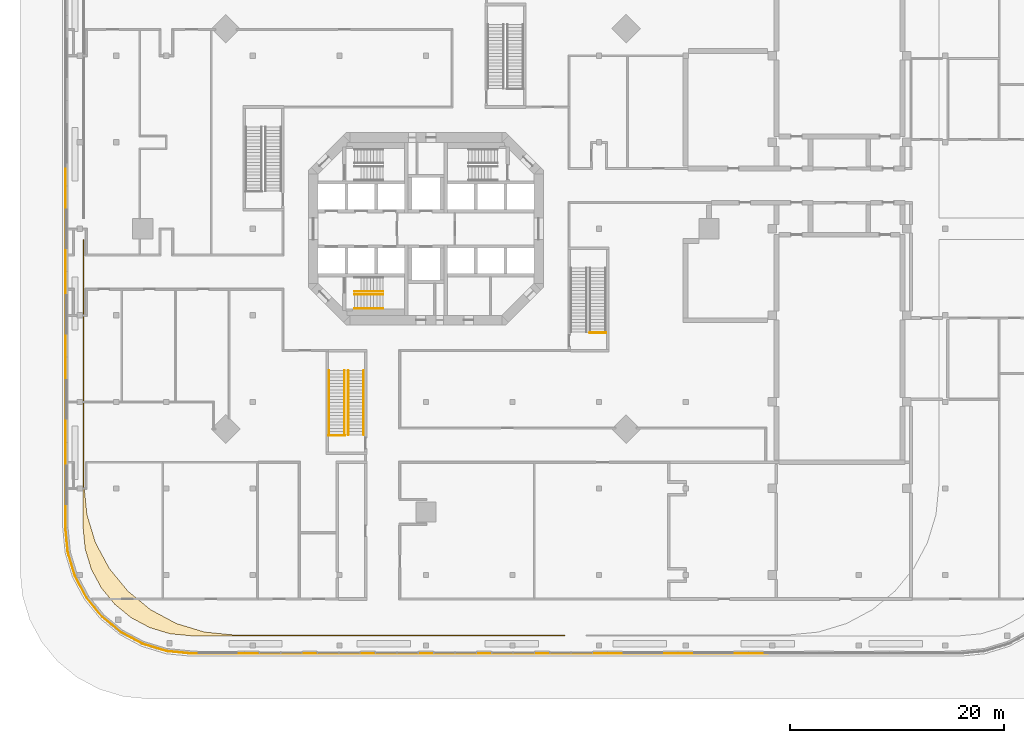
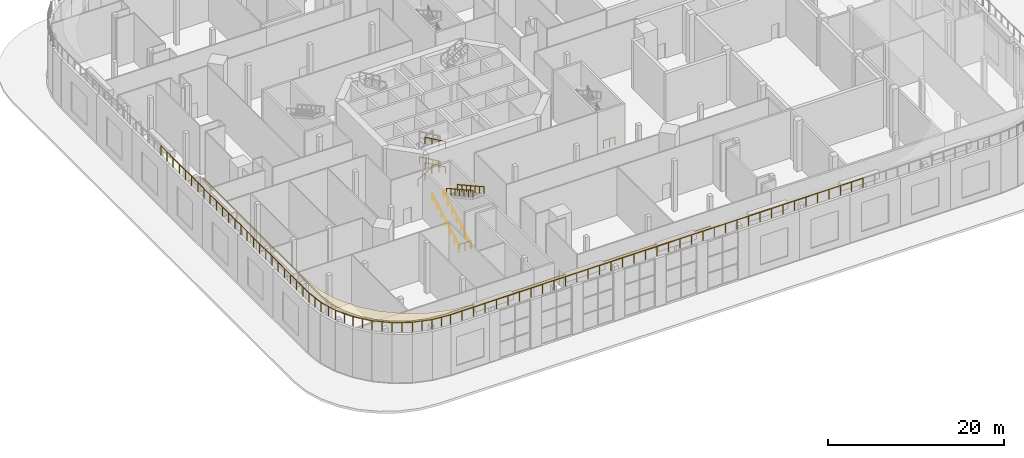
# One storey, part 18 of 21: 33 railings, 1 covering, 1 element without a shape of its own.
"""IFC4 building model written with IfcOpenShell, lengths in metres."""

from ifc_helpers import new_model, si_unit, direction, frame, origin, origin_2d, place, context, subcontext, project, spatial, polyline, rectangle, outline, extrude, material, layer, layer_set, type_object, element, aggregate, save


model = new_model("IFC4")

# Units and contexts
model_context = context("Model", 3, precision=1e-05, world=origin(), true_north=direction((0.0, 1.0)))
body_context = subcontext(model_context, "Body", "Model", "MODEL_VIEW")
ifc_project = project(units=[si_unit("LENGTHUNIT", "METRE"), si_unit("AREAUNIT", "SQUARE_METRE"), si_unit("VOLUMEUNIT", "CUBIC_METRE"), si_unit("PLANEANGLEUNIT", "RADIAN"), si_unit("MASSUNIT", "GRAM", prefix="KILO")], contexts=[model_context])

# Site, building, storey
site_placement = place(None, origin())
site = spatial("IfcSite", under=ifc_project, at=site_placement, CompositionType="ELEMENT")
building_placement = place(site_placement, origin())
building = spatial("IfcBuilding", under=site, at=building_placement, Name="Torre Triforio", CompositionType="ELEMENT")
storey_placement = place(building_placement, frame((0.0, 0.0, 6.0)))
storey = spatial("IfcBuildingStorey", under=building, at=storey_placement, Name="L01", CompositionType="ELEMENT", Elevation=6.0)

# Railings
ifc_material_1 = material(Name="Stainless steel AISI 316", Category="steel")
railing_type_1 = type_object("IfcRailingType", Name="HANDRAIL 920", PredefinedType="HANDRAIL", material=ifc_material_1)
railing_1_placement = place(storey_placement, frame((-6.699951171875, -5.85009765625, 0.175048828125)))
element("IfcRailing", 1, at=railing_1_placement, inside=storey, type_object=railing_type_1, Name="Handrail ST3", PredefinedType="HANDRAIL", context=body_context, shape_type="SweptSolid", body=[
    extrude(rectangle(XDim=0.048095703125, YDim=0.048095703125, at=origin_2d()), frame((0.0, 0.0, 0.89599609375), z_axis=(0.863781733769, 0.0, 0.503866169142), x_axis=(0.0, 1.0, 0.0)), (0.0, 0.0, 1.0), 3.125732421875),
    extrude(rectangle(XDim=0.0419921875, YDim=0.0419921875, at=origin_2d()), origin(), (0.0, 0.0, 1.0), 0.871826171875),
    extrude(rectangle(XDim=0.0419921875, YDim=0.0419921875, at=origin_2d()), frame((0.89990234375, 0.0, 0.52490234375)), (0.0, 0.0, 1.0), 0.871826171875),
    extrude(rectangle(XDim=0.0419921875, YDim=0.0419921875, at=origin_2d()), frame((1.800048828125, 0.0, 1.050048828125)), (0.0, 0.0, 1.0), 0.871826171875),
    extrude(rectangle(XDim=0.0419921875, YDim=0.0419921875, at=origin_2d()), frame((2.699951171875, 0.0, 1.574951171875)), (0.0, 0.0, 1.0), 0.871826171875),
])
for number, where, name in (
    (2, (-4.0, -7.449951171875, 1.925048828125), "Handrail ST3"),
    (3, (-4.0, -6.14990234375, 1.925048828125), "Handrail ST3"),
    (4, (-4.0, -7.449951171875, 5.425048828125), "Handrail ST3"),
):
    element("IfcRailing", number, at=place(storey_placement, frame(where)), inside=storey, type_object=railing_type_1, Name=name, PredefinedType="HANDRAIL", context=body_context, shape_type="SweptSolid", body=[
        extrude(rectangle(XDim=0.048095703125, YDim=0.048095703125, at=origin_2d()), frame((0.0, 0.0, 0.89599609375), z_axis=(-0.863781733769, 0.0, 0.503866169142), x_axis=(0.0, -1.0, 0.0)), (0.0, 0.0, 1.0), 3.125732421875),
        extrude(rectangle(XDim=0.0419921875, YDim=0.0419921875, at=origin_2d()), origin(), (0.0, 0.0, 1.0), 0.871826171875),
        extrude(rectangle(XDim=0.0419921875, YDim=0.0419921875, at=origin_2d()), frame((-0.89990234375, 0.0, 0.52490234375)), (0.0, 0.0, 1.0), 0.871826171875),
        extrude(rectangle(XDim=0.0419921875, YDim=0.0419921875, at=origin_2d()), frame((-1.800048828125, 0.0, 1.050048828125)), (0.0, 0.0, 1.0), 0.871826171875),
        extrude(rectangle(XDim=0.0419921875, YDim=0.0419921875, at=origin_2d()), frame((-2.699951171875, 0.0, 1.574951171875)), (0.0, 0.0, 1.0), 0.871826171875),
    ])

# Covering
ifc_material_2 = material(Name="Planted topsoil bed")
ifc_layer = layer(ifc_material_2, 0.300048828125)
ifc_layer_set = layer_set([ifc_layer], Name="Planted topsoil bed")
covering_type = type_object("IfcCoveringType", Name="Planted bed 300", PredefinedType="FLOORING", material=ifc_layer_set)
covering_placement = place(storey_placement, frame((0.0, 0.0, 7.0)))
element("IfcCovering", 5, at=covering_placement, inside=storey, type_object=covering_type, Name="Terrace T2 planted bed 1", PredefinedType="FLOORING", context=body_context, shape_type="SweptSolid", body=[
    extrude(outline(polyline([(-25.861572265625, -37.32275390625), (-27.606201171875, -36.39013671875), (-29.13525390625, -35.13525390625), (-30.39013671875, -33.606201171875), (-31.32275390625, -31.861572265625), (-31.89697265625, -29.968505859375), (-32.10009765625, -27.90673828125), (-32.10009765625, -1.0), (-32.0, -1.0), (-32.0, -24.098388671875), (-31.740478515625, -26.733154296875), (-30.943359375, -29.361328125), (-29.648681640625, -31.783447265625), (-27.90625, -33.90625), (-25.783447265625, -35.648681640625), (-23.361328125, -36.943359375), (-20.733154296875, -37.740478515625), (-18.098388671875, -38.0), (13.0, -38.0), (13.0, -38.10009765625), (-21.90673828125, -38.10009765625), (-23.968505859375, -37.89697265625), (-25.861572265625, -37.32275390625)])), origin(), (0.0, 0.0, 1.0), 0.300048828125),
])

# Stair, railings
ifc_material_3 = material(Name="Concrete C40", Category="concrete")
stair_type = type_object("IfcStairType", Name="Egress stair 1400 clear", PredefinedType="NOTDEFINED", material=ifc_material_3)
stair_placement = place(storey_placement, origin())
stair = element("IfcStair", 6, at=stair_placement, inside=storey, type_object=stair_type, Name="Exit stair PS3 L01 to L02", PredefinedType="NOTDEFINED")
railing_type_2 = type_object("IfcRailingType", Name="Stair handrail 920", PredefinedType="HANDRAIL", material=ifc_material_1)
railing_2_placement = place(storey_placement, frame((-9.074951171875, -19.27490234375, 0.166748046875)))
railing_2 = element("IfcRailing", 7, at=railing_2_placement, type_object=railing_type_2, Name="Handrail PS3", PredefinedType="HANDRAIL", context=body_context, shape_type="SweptSolid", body=[
    extrude(rectangle(XDim=0.048095703125, YDim=0.048095703125, at=origin_2d()), frame((0.0, 0.0, 0.89599609375), z_axis=(0.0, 0.874162309531, 0.485633870932), x_axis=(-1.0, 0.0, 0.0)), (0.0, 0.0, 1.0), 6.86376953125),
    extrude(rectangle(XDim=0.0419921875, YDim=0.0419921875, at=origin_2d()), origin(), (0.0, 0.0, 1.0), 0.871826171875),
    extrude(rectangle(XDim=0.0419921875, YDim=0.0419921875, at=origin_2d()), frame((0.0, 1.0, 0.5556640625)), (0.0, 0.0, 1.0), 0.871826171875),
    extrude(rectangle(XDim=0.0419921875, YDim=0.0419921875, at=origin_2d()), frame((0.0, 2.0, 1.111083984375)), (0.0, 0.0, 1.0), 0.871826171875),
    extrude(rectangle(XDim=0.0419921875, YDim=0.0419921875, at=origin_2d()), frame((0.0, 3.0, 1.66650390625)), (0.0, 0.0, 1.0), 0.871826171875),
    extrude(rectangle(XDim=0.0419921875, YDim=0.0419921875, at=origin_2d()), frame((0.0, 4.0, 2.22216796875)), (0.0, 0.0, 1.0), 0.871826171875),
    extrude(rectangle(XDim=0.0419921875, YDim=0.0419921875, at=origin_2d()), frame((0.0, 5.0, 2.77783203125)), (0.0, 0.0, 1.0), 0.871826171875),
    extrude(rectangle(XDim=0.0419921875, YDim=0.0419921875, at=origin_2d()), frame((0.0, 6.0, 3.333251953125)), (0.0, 0.0, 1.0), 0.871826171875),
])
railing_3_placement = place(storey_placement, frame((-7.625, -19.27490234375, 0.166748046875)))
railing_3 = element("IfcRailing", 8, at=railing_3_placement, type_object=railing_type_2, Name="Handrail PS3", PredefinedType="HANDRAIL", context=body_context, shape_type="SweptSolid", body=[
    extrude(rectangle(XDim=0.048095703125, YDim=0.048095703125, at=origin_2d()), frame((0.0, 0.0, 0.89599609375), z_axis=(0.0, 0.874162309531, 0.485633870932), x_axis=(-1.0, 0.0, 0.0)), (0.0, 0.0, 1.0), 6.86376953125),
    extrude(rectangle(XDim=0.0419921875, YDim=0.0419921875, at=origin_2d()), origin(), (0.0, 0.0, 1.0), 0.871826171875),
    extrude(rectangle(XDim=0.0419921875, YDim=0.0419921875, at=origin_2d()), frame((0.0, 1.0, 0.5556640625)), (0.0, 0.0, 1.0), 0.871826171875),
    extrude(rectangle(XDim=0.0419921875, YDim=0.0419921875, at=origin_2d()), frame((0.0, 2.0, 1.111083984375)), (0.0, 0.0, 1.0), 0.871826171875),
    extrude(rectangle(XDim=0.0419921875, YDim=0.0419921875, at=origin_2d()), frame((0.0, 3.0, 1.66650390625)), (0.0, 0.0, 1.0), 0.871826171875),
    extrude(rectangle(XDim=0.0419921875, YDim=0.0419921875, at=origin_2d()), frame((0.0, 4.0, 2.22216796875)), (0.0, 0.0, 1.0), 0.871826171875),
    extrude(rectangle(XDim=0.0419921875, YDim=0.0419921875, at=origin_2d()), frame((0.0, 5.0, 2.77783203125)), (0.0, 0.0, 1.0), 0.871826171875),
    extrude(rectangle(XDim=0.0419921875, YDim=0.0419921875, at=origin_2d()), frame((0.0, 6.0, 3.333251953125)), (0.0, 0.0, 1.0), 0.871826171875),
])
railing_4_placement = place(storey_placement, frame((-7.27490234375, -13.27490234375, 3.666748046875)))
railing_4 = element("IfcRailing", 9, at=railing_4_placement, type_object=railing_type_2, Name="Handrail PS3", PredefinedType="HANDRAIL", context=body_context, shape_type="SweptSolid", body=[
    extrude(rectangle(XDim=0.048095703125, YDim=0.048095703125, at=origin_2d()), frame((0.0, 0.0, 0.89599609375), z_axis=(0.0, -0.874162309531, 0.485633870932), x_axis=(1.0, 0.0, 0.0)), (0.0, 0.0, 1.0), 6.86376953125),
    extrude(rectangle(XDim=0.0419921875, YDim=0.0419921875, at=origin_2d()), origin(), (0.0, 0.0, 1.0), 0.871826171875),
    extrude(rectangle(XDim=0.0419921875, YDim=0.0419921875, at=origin_2d()), frame((0.0, -1.0, 0.5556640625)), (0.0, 0.0, 1.0), 0.871826171875),
    extrude(rectangle(XDim=0.0419921875, YDim=0.0419921875, at=origin_2d()), frame((0.0, -2.0, 1.111083984375)), (0.0, 0.0, 1.0), 0.871826171875),
    extrude(rectangle(XDim=0.0419921875, YDim=0.0419921875, at=origin_2d()), frame((0.0, -3.0, 1.66650390625)), (0.0, 0.0, 1.0), 0.871826171875),
    extrude(rectangle(XDim=0.0419921875, YDim=0.0419921875, at=origin_2d()), frame((0.0, -4.0, 2.22216796875)), (0.0, 0.0, 1.0), 0.871826171875),
    extrude(rectangle(XDim=0.0419921875, YDim=0.0419921875, at=origin_2d()), frame((0.0, -5.0, 2.77783203125)), (0.0, 0.0, 1.0), 0.871826171875),
    extrude(rectangle(XDim=0.0419921875, YDim=0.0419921875, at=origin_2d()), frame((0.0, -6.0, 3.333251953125)), (0.0, 0.0, 1.0), 0.871826171875),
])
railing_5_placement = place(storey_placement, frame((-5.824951171875, -13.27490234375, 3.666748046875)))
railing_5 = element("IfcRailing", 10, at=railing_5_placement, type_object=railing_type_2, Name="Handrail PS3", PredefinedType="HANDRAIL", context=body_context, shape_type="SweptSolid", body=[
    extrude(rectangle(XDim=0.048095703125, YDim=0.048095703125, at=origin_2d()), frame((0.0, 0.0, 0.89599609375), z_axis=(0.0, -0.874162309531, 0.485633870932), x_axis=(1.0, 0.0, 0.0)), (0.0, 0.0, 1.0), 6.86376953125),
    extrude(rectangle(XDim=0.0419921875, YDim=0.0419921875, at=origin_2d()), origin(), (0.0, 0.0, 1.0), 0.871826171875),
    extrude(rectangle(XDim=0.0419921875, YDim=0.0419921875, at=origin_2d()), frame((0.0, -1.0, 0.5556640625)), (0.0, 0.0, 1.0), 0.871826171875),
    extrude(rectangle(XDim=0.0419921875, YDim=0.0419921875, at=origin_2d()), frame((0.0, -2.0, 1.111083984375)), (0.0, 0.0, 1.0), 0.871826171875),
    extrude(rectangle(XDim=0.0419921875, YDim=0.0419921875, at=origin_2d()), frame((0.0, -3.0, 1.66650390625)), (0.0, 0.0, 1.0), 0.871826171875),
    extrude(rectangle(XDim=0.0419921875, YDim=0.0419921875, at=origin_2d()), frame((0.0, -4.0, 2.22216796875)), (0.0, 0.0, 1.0), 0.871826171875),
    extrude(rectangle(XDim=0.0419921875, YDim=0.0419921875, at=origin_2d()), frame((0.0, -5.0, 2.77783203125)), (0.0, 0.0, 1.0), 0.871826171875),
    extrude(rectangle(XDim=0.0419921875, YDim=0.0419921875, at=origin_2d()), frame((0.0, -6.0, 3.333251953125)), (0.0, 0.0, 1.0), 0.871826171875),
])
aggregate(stair, [railing_2, railing_3, railing_4, railing_5])

# Railings
railing_type_3 = type_object("IfcRailingType", Name="Stair well guard 1100", PredefinedType="GUARDRAIL", material=ifc_material_1)
for number, where, name in (
    (11, (15.324951171875, -9.72509765625, 0.0), "Guard PS2 L01"),
    (12, (-9.125, -19.324951171875, 0.0), "Guard PS3 L01"),
):
    element("IfcRailing", number, at=place(storey_placement, frame(where)), inside=storey, type_object=railing_type_3, Name=name, PredefinedType="GUARDRAIL", context=body_context, shape_type="SweptSolid", body=[
        extrude(rectangle(XDim=0.048095703125, YDim=0.048095703125, at=origin_2d()), frame((0.0, 0.0, 1.076171875), z_axis=(1.0, 0.0, 0.0), x_axis=(0.0, 1.0, 0.0)), (0.0, 0.0, 1.0), 1.550048828125),
        extrude(rectangle(XDim=0.0419921875, YDim=0.0419921875, at=origin_2d()), origin(), (0.0, 0.0, 1.0), 1.052001953125),
        extrude(rectangle(XDim=0.0419921875, YDim=0.0419921875, at=origin_2d()), frame((0.77490234375, 0.0, 0.0)), (0.0, 0.0, 1.0), 1.052001953125),
        extrude(rectangle(XDim=0.0419921875, YDim=0.0419921875, at=origin_2d()), frame((1.550048828125, 0.0, 0.0)), (0.0, 0.0, 1.0), 1.052001953125),
    ])
railing_type_4 = type_object("IfcRailingType", Name="Terrace balustrade 1300", PredefinedType="BALUSTRADE", material=ifc_material_1)
for number, where, name in (
    (13, (-33.75, 5.597412109375, 7.0), "Terrace T2 balustrade 27.5"),
    (14, (-33.75, 0.0, 7.0), "Terrace T2 balustrade 27.6"),
):
    element("IfcRailing", number, at=place(storey_placement, frame(where)), inside=storey, type_object=railing_type_4, Name=name, PredefinedType="BALUSTRADE", context=body_context, shape_type="SweptSolid", body=[
        extrude(rectangle(XDim=0.050048828125, YDim=0.050048828125, at=origin_2d()), frame((0.0, 0.0, 1.27490234375), z_axis=(0.0, -1.0, 0.0), x_axis=(1.0, 0.0, 0.0)), (0.0, 0.0, 1.0), 5.597412109375),
        extrude(rectangle(XDim=0.0400390625, YDim=0.0400390625, at=origin_2d()), origin(), (0.0, 0.0, 1.0), 1.25),
        extrude(rectangle(XDim=0.0400390625, YDim=0.0400390625, at=origin_2d()), frame((0.0, -1.3994140625, 0.0)), (0.0, 0.0, 1.0), 1.25),
        extrude(rectangle(XDim=0.0400390625, YDim=0.0400390625, at=origin_2d()), frame((0.0, -2.798828125, 0.0)), (0.0, 0.0, 1.0), 1.25),
        extrude(rectangle(XDim=0.0400390625, YDim=0.0400390625, at=origin_2d()), frame((0.0, -4.197998046875, 0.0)), (0.0, 0.0, 1.0), 1.25),
        extrude(rectangle(XDim=0.0400390625, YDim=0.0400390625, at=origin_2d()), frame((0.0, -5.597412109375, 0.0)), (0.0, 0.0, 1.0), 1.25),
    ])
railing_6_placement = place(storey_placement, frame((-33.75, -5.597412109375, 7.0)))
element("IfcRailing", 15, at=railing_6_placement, inside=storey, type_object=railing_type_4, Name="Terrace T2 balustrade 27.7", PredefinedType="BALUSTRADE", context=body_context, shape_type="SweptSolid", body=[
    extrude(rectangle(XDim=0.050048828125, YDim=0.050048828125, at=origin_2d()), frame((0.0, 0.0, 1.27490234375), z_axis=(0.0, -1.0, 0.0), x_axis=(1.0, 0.0, 0.0)), (0.0, 0.0, 1.0), 5.59765625),
    extrude(rectangle(XDim=0.0400390625, YDim=0.0400390625, at=origin_2d()), origin(), (0.0, 0.0, 1.0), 1.25),
    extrude(rectangle(XDim=0.0400390625, YDim=0.0400390625, at=origin_2d()), frame((0.0, -1.3994140625, 0.0)), (0.0, 0.0, 1.0), 1.25),
    extrude(rectangle(XDim=0.0400390625, YDim=0.0400390625, at=origin_2d()), frame((0.0, -2.798828125, 0.0)), (0.0, 0.0, 1.0), 1.25),
    extrude(rectangle(XDim=0.0400390625, YDim=0.0400390625, at=origin_2d()), frame((0.0, -4.1982421875, 0.0)), (0.0, 0.0, 1.0), 1.25),
    extrude(rectangle(XDim=0.0400390625, YDim=0.0400390625, at=origin_2d()), frame((0.0, -5.59765625, 0.0)), (0.0, 0.0, 1.0), 1.25),
])
railing_7_placement = place(storey_placement, frame((-33.75, -11.195068359375, 7.0)))
element("IfcRailing", 16, at=railing_7_placement, inside=storey, type_object=railing_type_4, Name="Terrace T2 balustrade 27.8", PredefinedType="BALUSTRADE", context=body_context, shape_type="SweptSolid", body=[
    extrude(rectangle(XDim=0.050048828125, YDim=0.050048828125, at=origin_2d()), frame((0.0, 0.0, 1.27490234375), z_axis=(0.0, -1.0, 0.0), x_axis=(1.0, 0.0, 0.0)), (0.0, 0.0, 1.0), 5.597412109375),
    extrude(rectangle(XDim=0.0400390625, YDim=0.0400390625, at=origin_2d()), origin(), (0.0, 0.0, 1.0), 1.25),
    extrude(rectangle(XDim=0.0400390625, YDim=0.0400390625, at=origin_2d()), frame((0.0, -1.3994140625, 0.0)), (0.0, 0.0, 1.0), 1.25),
    extrude(rectangle(XDim=0.0400390625, YDim=0.0400390625, at=origin_2d()), frame((0.0, -2.798828125, 0.0)), (0.0, 0.0, 1.0), 1.25),
    extrude(rectangle(XDim=0.0400390625, YDim=0.0400390625, at=origin_2d()), frame((0.0, -4.197998046875, 0.0)), (0.0, 0.0, 1.0), 1.25),
    extrude(rectangle(XDim=0.0400390625, YDim=0.0400390625, at=origin_2d()), frame((0.0, -5.597412109375, 0.0)), (0.0, 0.0, 1.0), 1.25),
])
for number, where, name in (
    (17, (-33.75, -16.79248046875, 7.0), "Terrace T2 balustrade 27.9"),
    (18, (-33.75, -22.39013671875, 7.0), "Terrace T2 balustrade 27.10"),
):
    element("IfcRailing", number, at=place(storey_placement, frame(where)), inside=storey, type_object=railing_type_4, Name=name, PredefinedType="BALUSTRADE", context=body_context, shape_type="SweptSolid", body=[
        extrude(rectangle(XDim=0.050048828125, YDim=0.050048828125, at=origin_2d()), frame((0.0, 0.0, 1.27490234375), z_axis=(0.0, -1.0, 0.0), x_axis=(1.0, 0.0, 0.0)), (0.0, 0.0, 1.0), 5.59765625),
        extrude(rectangle(XDim=0.0400390625, YDim=0.0400390625, at=origin_2d()), origin(), (0.0, 0.0, 1.0), 1.25),
        extrude(rectangle(XDim=0.0400390625, YDim=0.0400390625, at=origin_2d()), frame((0.0, -1.3994140625, 0.0)), (0.0, 0.0, 1.0), 1.25),
        extrude(rectangle(XDim=0.0400390625, YDim=0.0400390625, at=origin_2d()), frame((0.0, -2.798828125, 0.0)), (0.0, 0.0, 1.0), 1.25),
        extrude(rectangle(XDim=0.0400390625, YDim=0.0400390625, at=origin_2d()), frame((0.0, -4.1982421875, 0.0)), (0.0, 0.0, 1.0), 1.25),
        extrude(rectangle(XDim=0.0400390625, YDim=0.0400390625, at=origin_2d()), frame((0.0, -5.59765625, 0.0)), (0.0, 0.0, 1.0), 1.25),
    ])
railing_8_placement = place(storey_placement, frame((-33.75, -27.98779296875, 7.0)))
element("IfcRailing", 19, at=railing_8_placement, inside=storey, type_object=railing_type_4, Name="Terrace T2 balustrade 28", PredefinedType="BALUSTRADE", context=body_context, shape_type="SweptSolid", body=[
    extrude(rectangle(XDim=0.050048828125, YDim=0.050048828125, at=origin_2d()), frame((0.0, 0.0, 1.27490234375), z_axis=(0.098062895086, -0.99518021916, 0.0), x_axis=(0.99518021916, 0.098062895086, 0.0)), (0.0, 0.0, 1.0), 2.3154296875),
    extrude(rectangle(XDim=0.0400390625, YDim=0.0400390625, at=origin_2d()), origin(), (0.0, 0.0, 1.0), 1.25),
    extrude(rectangle(XDim=0.0400390625, YDim=0.0400390625, at=origin_2d()), frame((0.113525390625, -1.152099609375, 0.0)), (0.0, 0.0, 1.0), 1.25),
    extrude(rectangle(XDim=0.0400390625, YDim=0.0400390625, at=origin_2d()), frame((0.22705078125, -2.30419921875, 0.0)), (0.0, 0.0, 1.0), 1.25),
])
railing_9_placement = place(storey_placement, frame((-33.52294921875, -30.2919921875, 7.0)))
element("IfcRailing", 20, at=railing_9_placement, inside=storey, type_object=railing_type_4, Name="Terrace T2 balustrade 29", PredefinedType="BALUSTRADE", context=body_context, shape_type="SweptSolid", body=[
    extrude(rectangle(XDim=0.050048828125, YDim=0.050048828125, at=origin_2d()), frame((0.0, 0.0, 1.27490234375), z_axis=(0.290225091232, -0.956958408929, 0.0), x_axis=(0.956958408929, 0.290225091232, 0.0)), (0.0, 0.0, 1.0), 2.30322265625),
    extrude(rectangle(XDim=0.0400390625, YDim=0.0400390625, at=origin_2d()), origin(), (0.0, 0.0, 1.0), 1.25),
    extrude(rectangle(XDim=0.0400390625, YDim=0.0400390625, at=origin_2d()), frame((0.334228515625, -1.10205078125, 0.0)), (0.0, 0.0, 1.0), 1.25),
    extrude(rectangle(XDim=0.0400390625, YDim=0.0400390625, at=origin_2d()), frame((0.66845703125, -2.2041015625, 0.0)), (0.0, 0.0, 1.0), 1.25),
])
railing_10_placement = place(storey_placement, frame((-32.8544921875, -32.49609375, 7.0)))
element("IfcRailing", 21, at=railing_10_placement, inside=storey, type_object=railing_type_4, Name="Terrace T2 balustrade 30", PredefinedType="BALUSTRADE", context=body_context, shape_type="SweptSolid", body=[
    extrude(rectangle(XDim=0.050048828125, YDim=0.050048828125, at=origin_2d()), frame((0.0, 0.0, 1.27490234375), z_axis=(0.471385800251, -0.881927109982, 0.0), x_axis=(0.881927109982, 0.471385800251, 0.0)), (0.0, 0.0, 1.0), 2.30322265625),
    extrude(rectangle(XDim=0.0400390625, YDim=0.0400390625, at=origin_2d()), origin(), (0.0, 0.0, 1.0), 1.25),
    extrude(rectangle(XDim=0.0400390625, YDim=0.0400390625, at=origin_2d()), frame((0.54296875, -1.015625, 0.0)), (0.0, 0.0, 1.0), 1.25),
    extrude(rectangle(XDim=0.0400390625, YDim=0.0400390625, at=origin_2d()), frame((1.085693359375, -2.03125, 0.0)), (0.0, 0.0, 1.0), 1.25),
])
railing_11_placement = place(storey_placement, frame((-31.768798828125, -34.52734375, 7.0)))
element("IfcRailing", 22, at=railing_11_placement, inside=storey, type_object=railing_type_4, Name="Terrace T2 balustrade 31", PredefinedType="BALUSTRADE", context=body_context, shape_type="SweptSolid", body=[
    extrude(rectangle(XDim=0.050048828125, YDim=0.050048828125, at=origin_2d()), frame((0.0, 0.0, 1.27490234375), z_axis=(0.634431938273, -0.772978729137, 0.0), x_axis=(0.772978729137, 0.634431938273, 0.0)), (0.0, 0.0, 1.0), 2.30322265625),
    extrude(rectangle(XDim=0.0400390625, YDim=0.0400390625, at=origin_2d()), origin(), (0.0, 0.0, 1.0), 1.25),
    extrude(rectangle(XDim=0.0400390625, YDim=0.0400390625, at=origin_2d()), frame((0.73046875, -0.89013671875, 0.0)), (0.0, 0.0, 1.0), 1.25),
    extrude(rectangle(XDim=0.0400390625, YDim=0.0400390625, at=origin_2d()), frame((1.461181640625, -1.7802734375, 0.0)), (0.0, 0.0, 1.0), 1.25),
])
railing_12_placement = place(storey_placement, frame((-30.3076171875, -36.3076171875, 7.0)))
element("IfcRailing", 23, at=railing_12_placement, inside=storey, type_object=railing_type_4, Name="Terrace T2 balustrade 32", PredefinedType="BALUSTRADE", context=body_context, shape_type="SweptSolid", body=[
    extrude(rectangle(XDim=0.050048828125, YDim=0.050048828125, at=origin_2d()), frame((0.0, 0.0, 1.27490234375), z_axis=(0.772978729137, -0.634431938273, 0.0), x_axis=(0.634431938273, 0.772978729137, 0.0)), (0.0, 0.0, 1.0), 2.30322265625),
    extrude(rectangle(XDim=0.0400390625, YDim=0.0400390625, at=origin_2d()), origin(), (0.0, 0.0, 1.0), 1.25),
    extrude(rectangle(XDim=0.0400390625, YDim=0.0400390625, at=origin_2d()), frame((0.89013671875, -0.73046875, 0.0)), (0.0, 0.0, 1.0), 1.25),
    extrude(rectangle(XDim=0.0400390625, YDim=0.0400390625, at=origin_2d()), frame((1.7802734375, -1.461181640625, 0.0)), (0.0, 0.0, 1.0), 1.25),
])
railing_13_placement = place(storey_placement, frame((-28.52734375, -37.768798828125, 7.0)))
element("IfcRailing", 24, at=railing_13_placement, inside=storey, type_object=railing_type_4, Name="Terrace T2 balustrade 33", PredefinedType="BALUSTRADE", context=body_context, shape_type="SweptSolid", body=[
    extrude(rectangle(XDim=0.050048828125, YDim=0.050048828125, at=origin_2d()), frame((0.0, 0.0, 1.27490234375), z_axis=(0.881927109982, -0.471385800251, 0.0), x_axis=(0.471385800251, 0.881927109982, 0.0)), (0.0, 0.0, 1.0), 2.30322265625),
    extrude(rectangle(XDim=0.0400390625, YDim=0.0400390625, at=origin_2d()), origin(), (0.0, 0.0, 1.0), 1.25),
    extrude(rectangle(XDim=0.0400390625, YDim=0.0400390625, at=origin_2d()), frame((1.015625, -0.54296875, 0.0)), (0.0, 0.0, 1.0), 1.25),
    extrude(rectangle(XDim=0.0400390625, YDim=0.0400390625, at=origin_2d()), frame((2.03125, -1.085693359375, 0.0)), (0.0, 0.0, 1.0), 1.25),
])
railing_14_placement = place(storey_placement, frame((-26.49609375, -38.8544921875, 7.0)))
element("IfcRailing", 25, at=railing_14_placement, inside=storey, type_object=railing_type_4, Name="Terrace T2 balustrade 34", PredefinedType="BALUSTRADE", context=body_context, shape_type="SweptSolid", body=[
    extrude(rectangle(XDim=0.050048828125, YDim=0.050048828125, at=origin_2d()), frame((0.0, 0.0, 1.27490234375), z_axis=(0.956958408929, -0.290225091232, 0.0), x_axis=(0.290225091232, 0.956958408929, 0.0)), (0.0, 0.0, 1.0), 2.30322265625),
    extrude(rectangle(XDim=0.0400390625, YDim=0.0400390625, at=origin_2d()), origin(), (0.0, 0.0, 1.0), 1.25),
    extrude(rectangle(XDim=0.0400390625, YDim=0.0400390625, at=origin_2d()), frame((1.10205078125, -0.334228515625, 0.0)), (0.0, 0.0, 1.0), 1.25),
    extrude(rectangle(XDim=0.0400390625, YDim=0.0400390625, at=origin_2d()), frame((2.2041015625, -0.66845703125, 0.0)), (0.0, 0.0, 1.0), 1.25),
])
railing_15_placement = place(storey_placement, frame((-24.2919921875, -39.52294921875, 7.0)))
element("IfcRailing", 26, at=railing_15_placement, inside=storey, type_object=railing_type_4, Name="Terrace T2 balustrade 35", PredefinedType="BALUSTRADE", context=body_context, shape_type="SweptSolid", body=[
    extrude(rectangle(XDim=0.050048828125, YDim=0.050048828125, at=origin_2d()), frame((0.0, 0.0, 1.27490234375), z_axis=(0.99518021916, -0.098062895086, 0.0), x_axis=(0.098062895086, 0.99518021916, 0.0)), (0.0, 0.0, 1.0), 2.3154296875),
    extrude(rectangle(XDim=0.0400390625, YDim=0.0400390625, at=origin_2d()), origin(), (0.0, 0.0, 1.0), 1.25),
    extrude(rectangle(XDim=0.0400390625, YDim=0.0400390625, at=origin_2d()), frame((1.152099609375, -0.113525390625, 0.0)), (0.0, 0.0, 1.0), 1.25),
    extrude(rectangle(XDim=0.0400390625, YDim=0.0400390625, at=origin_2d()), frame((2.30419921875, -0.22705078125, 0.0)), (0.0, 0.0, 1.0), 1.25),
])
for number, where, name in (
    (27, (-21.98779296875, -39.75, 7.0), "Terrace T2 balustrade 36.1"),
    (28, (-15.98974609375, -39.75, 7.0), "Terrace T2 balustrade 36.2"),
):
    element("IfcRailing", number, at=place(storey_placement, frame(where)), inside=storey, type_object=railing_type_4, Name=name, PredefinedType="BALUSTRADE", context=body_context, shape_type="SweptSolid", body=[
        extrude(rectangle(XDim=0.050048828125, YDim=0.050048828125, at=origin_2d()), frame((0.0, 0.0, 1.27490234375), z_axis=(1.0, 0.0, 0.0), x_axis=(0.0, 1.0, 0.0)), (0.0, 0.0, 1.0), 5.998046875),
        extrude(rectangle(XDim=0.0400390625, YDim=0.0400390625, at=origin_2d()), origin(), (0.0, 0.0, 1.0), 1.25),
        extrude(rectangle(XDim=0.0400390625, YDim=0.0400390625, at=origin_2d()), frame((1.49951171875, 0.0, 0.0)), (0.0, 0.0, 1.0), 1.25),
        extrude(rectangle(XDim=0.0400390625, YDim=0.0400390625, at=origin_2d()), frame((2.9990234375, 0.0, 0.0)), (0.0, 0.0, 1.0), 1.25),
        extrude(rectangle(XDim=0.0400390625, YDim=0.0400390625, at=origin_2d()), frame((4.49853515625, 0.0, 0.0)), (0.0, 0.0, 1.0), 1.25),
        extrude(rectangle(XDim=0.0400390625, YDim=0.0400390625, at=origin_2d()), frame((5.998046875, 0.0, 0.0)), (0.0, 0.0, 1.0), 1.25),
    ])
railing_16_placement = place(storey_placement, frame((-9.99169921875, -39.75, 7.0)))
element("IfcRailing", 29, at=railing_16_placement, inside=storey, type_object=railing_type_4, Name="Terrace T2 balustrade 36.3", PredefinedType="BALUSTRADE", context=body_context, shape_type="SweptSolid", body=[
    extrude(rectangle(XDim=0.050048828125, YDim=0.050048828125, at=origin_2d()), frame((0.0, 0.0, 1.27490234375), z_axis=(1.0, 0.0, 0.0), x_axis=(0.0, 1.0, 0.0)), (0.0, 0.0, 1.0), 5.997802734375),
    extrude(rectangle(XDim=0.0400390625, YDim=0.0400390625, at=origin_2d()), origin(), (0.0, 0.0, 1.0), 1.25),
    extrude(rectangle(XDim=0.0400390625, YDim=0.0400390625, at=origin_2d()), frame((1.49951171875, 0.0, 0.0)), (0.0, 0.0, 1.0), 1.25),
    extrude(rectangle(XDim=0.0400390625, YDim=0.0400390625, at=origin_2d()), frame((2.9990234375, 0.0, 0.0)), (0.0, 0.0, 1.0), 1.25),
    extrude(rectangle(XDim=0.0400390625, YDim=0.0400390625, at=origin_2d()), frame((4.498291015625, 0.0, 0.0)), (0.0, 0.0, 1.0), 1.25),
    extrude(rectangle(XDim=0.0400390625, YDim=0.0400390625, at=origin_2d()), frame((5.997802734375, 0.0, 0.0)), (0.0, 0.0, 1.0), 1.25),
])
railing_17_placement = place(storey_placement, frame((-3.993896484375, -39.75, 7.0)))
element("IfcRailing", 30, at=railing_17_placement, inside=storey, type_object=railing_type_4, Name="Terrace T2 balustrade 36.4", PredefinedType="BALUSTRADE", context=body_context, shape_type="SweptSolid", body=[
    extrude(rectangle(XDim=0.050048828125, YDim=0.050048828125, at=origin_2d()), frame((0.0, 0.0, 1.27490234375), z_axis=(1.0, 0.0, 0.0), x_axis=(0.0, 1.0, 0.0)), (0.0, 0.0, 1.0), 5.998046875),
    extrude(rectangle(XDim=0.0400390625, YDim=0.0400390625, at=origin_2d()), origin(), (0.0, 0.0, 1.0), 1.25),
    extrude(rectangle(XDim=0.0400390625, YDim=0.0400390625, at=origin_2d()), frame((1.49951171875, 0.0, 0.0)), (0.0, 0.0, 1.0), 1.25),
    extrude(rectangle(XDim=0.0400390625, YDim=0.0400390625, at=origin_2d()), frame((2.9990234375, 0.0, 0.0)), (0.0, 0.0, 1.0), 1.25),
    extrude(rectangle(XDim=0.0400390625, YDim=0.0400390625, at=origin_2d()), frame((4.49853515625, 0.0, 0.0)), (0.0, 0.0, 1.0), 1.25),
    extrude(rectangle(XDim=0.0400390625, YDim=0.0400390625, at=origin_2d()), frame((5.998046875, 0.0, 0.0)), (0.0, 0.0, 1.0), 1.25),
])
railing_18_placement = place(storey_placement, frame((2.004150390625, -39.75, 7.0)))
element("IfcRailing", 31, at=railing_18_placement, inside=storey, type_object=railing_type_4, Name="Terrace T2 balustrade 36.5", PredefinedType="BALUSTRADE", context=body_context, shape_type="SweptSolid", body=[
    extrude(rectangle(XDim=0.050048828125, YDim=0.050048828125, at=origin_2d()), frame((0.0, 0.0, 1.27490234375), z_axis=(1.0, 0.0, 0.0), x_axis=(0.0, 1.0, 0.0)), (0.0, 0.0, 1.0), 5.997802734375),
    extrude(rectangle(XDim=0.0400390625, YDim=0.0400390625, at=origin_2d()), origin(), (0.0, 0.0, 1.0), 1.25),
    extrude(rectangle(XDim=0.0400390625, YDim=0.0400390625, at=origin_2d()), frame((1.49951171875, 0.0, 0.0)), (0.0, 0.0, 1.0), 1.25),
    extrude(rectangle(XDim=0.0400390625, YDim=0.0400390625, at=origin_2d()), frame((2.9990234375, 0.0, 0.0)), (0.0, 0.0, 1.0), 1.25),
    extrude(rectangle(XDim=0.0400390625, YDim=0.0400390625, at=origin_2d()), frame((4.498291015625, 0.0, 0.0)), (0.0, 0.0, 1.0), 1.25),
    extrude(rectangle(XDim=0.0400390625, YDim=0.0400390625, at=origin_2d()), frame((5.997802734375, 0.0, 0.0)), (0.0, 0.0, 1.0), 1.25),
])
for number, where, name in (
    (32, (8.001953125, -39.75, 7.0), "Terrace T2 balustrade 36.6"),
    (33, (14.0, -39.75, 7.0), "Terrace T2 balustrade 36.7"),
):
    element("IfcRailing", number, at=place(storey_placement, frame(where)), inside=storey, type_object=railing_type_4, Name=name, PredefinedType="BALUSTRADE", context=body_context, shape_type="SweptSolid", body=[
        extrude(rectangle(XDim=0.050048828125, YDim=0.050048828125, at=origin_2d()), frame((0.0, 0.0, 1.27490234375), z_axis=(1.0, 0.0, 0.0), x_axis=(0.0, 1.0, 0.0)), (0.0, 0.0, 1.0), 5.998046875),
        extrude(rectangle(XDim=0.0400390625, YDim=0.0400390625, at=origin_2d()), origin(), (0.0, 0.0, 1.0), 1.25),
        extrude(rectangle(XDim=0.0400390625, YDim=0.0400390625, at=origin_2d()), frame((1.49951171875, 0.0, 0.0)), (0.0, 0.0, 1.0), 1.25),
        extrude(rectangle(XDim=0.0400390625, YDim=0.0400390625, at=origin_2d()), frame((2.9990234375, 0.0, 0.0)), (0.0, 0.0, 1.0), 1.25),
        extrude(rectangle(XDim=0.0400390625, YDim=0.0400390625, at=origin_2d()), frame((4.49853515625, 0.0, 0.0)), (0.0, 0.0, 1.0), 1.25),
        extrude(rectangle(XDim=0.0400390625, YDim=0.0400390625, at=origin_2d()), frame((5.998046875, 0.0, 0.0)), (0.0, 0.0, 1.0), 1.25),
    ])
railing_19_placement = place(storey_placement, frame((19.998046875, -39.75, 7.0)))
element("IfcRailing", 34, at=railing_19_placement, inside=storey, type_object=railing_type_4, Name="Terrace T2 balustrade 36.8", PredefinedType="BALUSTRADE", context=body_context, shape_type="SweptSolid", body=[
    extrude(rectangle(XDim=0.050048828125, YDim=0.050048828125, at=origin_2d()), frame((0.0, 0.0, 1.27490234375), z_axis=(1.0, 0.0, 0.0), x_axis=(0.0, 1.0, 0.0)), (0.0, 0.0, 1.0), 5.997802734375),
    extrude(rectangle(XDim=0.0400390625, YDim=0.0400390625, at=origin_2d()), origin(), (0.0, 0.0, 1.0), 1.25),
    extrude(rectangle(XDim=0.0400390625, YDim=0.0400390625, at=origin_2d()), frame((1.49951171875, 0.0, 0.0)), (0.0, 0.0, 1.0), 1.25),
    extrude(rectangle(XDim=0.0400390625, YDim=0.0400390625, at=origin_2d()), frame((2.9990234375, 0.0, 0.0)), (0.0, 0.0, 1.0), 1.25),
    extrude(rectangle(XDim=0.0400390625, YDim=0.0400390625, at=origin_2d()), frame((4.498291015625, 0.0, 0.0)), (0.0, 0.0, 1.0), 1.25),
    extrude(rectangle(XDim=0.0400390625, YDim=0.0400390625, at=origin_2d()), frame((5.997802734375, 0.0, 0.0)), (0.0, 0.0, 1.0), 1.25),
])
railing_20_placement = place(storey_placement, frame((25.995849609375, -39.75, 7.0)))
element("IfcRailing", 35, at=railing_20_placement, inside=storey, type_object=railing_type_4, Name="Terrace T2 balustrade 36.9", PredefinedType="BALUSTRADE", context=body_context, shape_type="SweptSolid", body=[
    extrude(rectangle(XDim=0.050048828125, YDim=0.050048828125, at=origin_2d()), frame((0.0, 0.0, 1.27490234375), z_axis=(1.0, 0.0, 0.0), x_axis=(0.0, 1.0, 0.0)), (0.0, 0.0, 1.0), 5.998046875),
    extrude(rectangle(XDim=0.0400390625, YDim=0.0400390625, at=origin_2d()), origin(), (0.0, 0.0, 1.0), 1.25),
    extrude(rectangle(XDim=0.0400390625, YDim=0.0400390625, at=origin_2d()), frame((1.49951171875, 0.0, 0.0)), (0.0, 0.0, 1.0), 1.25),
    extrude(rectangle(XDim=0.0400390625, YDim=0.0400390625, at=origin_2d()), frame((2.9990234375, 0.0, 0.0)), (0.0, 0.0, 1.0), 1.25),
    extrude(rectangle(XDim=0.0400390625, YDim=0.0400390625, at=origin_2d()), frame((4.49853515625, 0.0, 0.0)), (0.0, 0.0, 1.0), 1.25),
    extrude(rectangle(XDim=0.0400390625, YDim=0.0400390625, at=origin_2d()), frame((5.998046875, 0.0, 0.0)), (0.0, 0.0, 1.0), 1.25),
])

save(model, "model.ifc")
